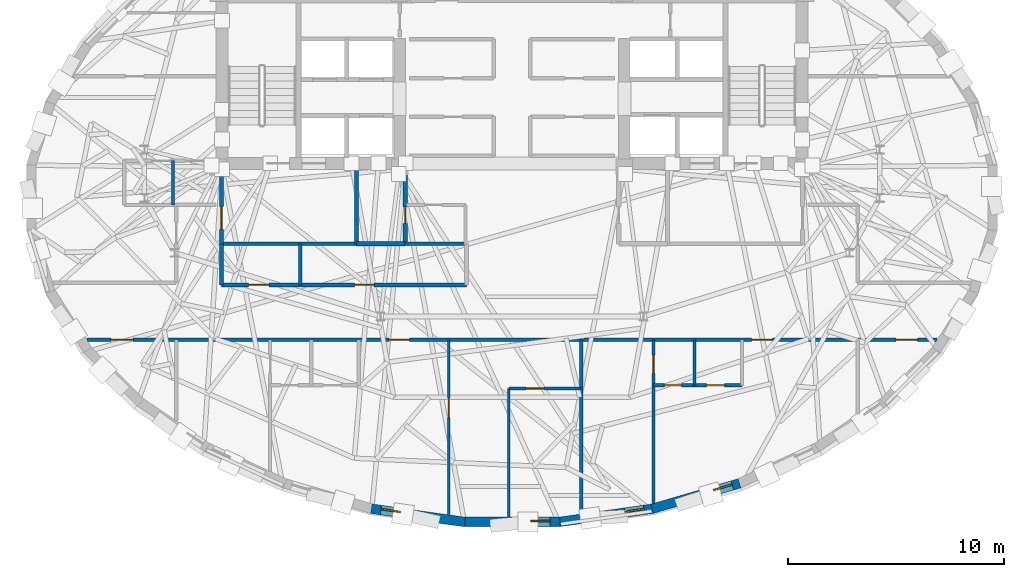
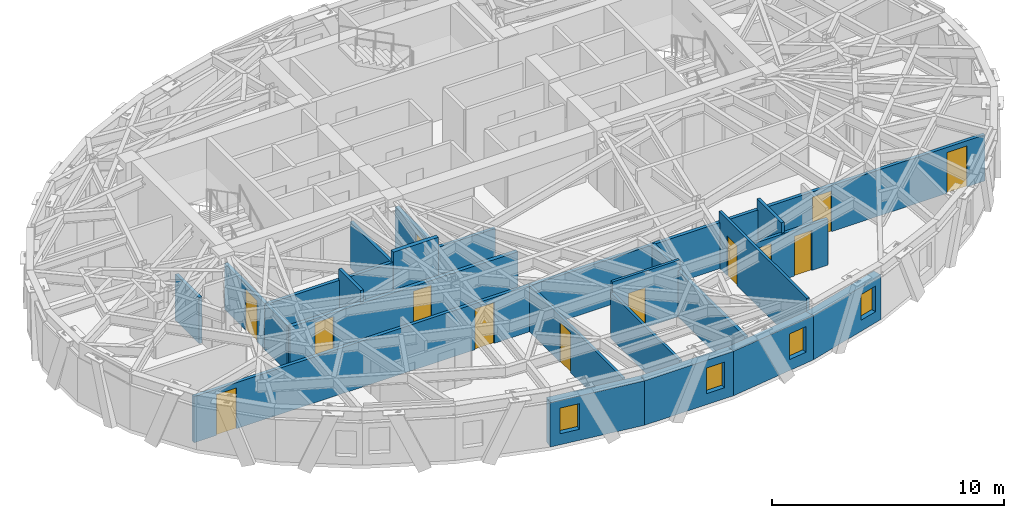
# One storey, part 6 of 12: 22 walls, 13 doors, 4 windows, 17 openings.
"""IFC4 building model written with IfcOpenShell, lengths in metres."""

from ifc_helpers import new_model, si_unit, direction, frame, frame_2d, origin, place, context, subcontext, project, spatial, rectangle, extrude, material, layer, layer_set, type_object, element, fill, save


model = new_model("IFC4")

# Units and contexts
model_context = context("Model", 3, precision=1e-05, world=origin(), true_north=direction((0.0, 1.0)))
body_context = subcontext(model_context, "Body", "Model", "MODEL_VIEW")
ifc_project = project(units=[si_unit("LENGTHUNIT", "METRE"), si_unit("AREAUNIT", "SQUARE_METRE"), si_unit("VOLUMEUNIT", "CUBIC_METRE"), si_unit("PLANEANGLEUNIT", "RADIAN"), si_unit("MASSUNIT", "GRAM", prefix="KILO")], contexts=[model_context])

# Site, building, storey
site_placement = place(None, origin())
site = spatial("IfcSite", under=ifc_project, at=site_placement, CompositionType="ELEMENT")
building_placement = place(site_placement, origin())
building = spatial("IfcBuilding", under=site, at=building_placement, Name="Keldmark Tower", CompositionType="ELEMENT")
storey_placement = place(building_placement, frame((0.0, 0.0, 228.89990234375)))
storey = spatial("IfcBuildingStorey", under=building, at=storey_placement, Name="L64", CompositionType="ELEMENT", Elevation=228.89990234375)

# Wall, openings, doors
ifc_material_1 = material(Name="Heavy Acoustic Plumbing Chase Gypsum Assembly", Category="gypsum")
ifc_layer_1 = layer(ifc_material_1, 0.18994140625)
ifc_layer_set_1 = layer_set([ifc_layer_1], Name="Heavy Acoustic Plumbing Chase Gypsum Assembly")
wall_type_1 = type_object("IfcWallType", Name="Heavy Wet Wall 190 mm", PredefinedType="PLUMBINGWALL", material=ifc_layer_set_1)
wall_1_placement = place(storey_placement, frame((-13.449951171875, -4.050048828125, 0.0), z_axis=(0.0, 0.0, 1.0), x_axis=(1.0, 0.0, 0.0)))
wall_1 = element("IfcWall", 1, at=wall_1_placement, inside=storey, type_object=wall_type_1, Name="L64 Heavy Wet Wall 190 mm SPK-W-S", PredefinedType="PLUMBINGWALL", context=body_context, shape_type="SweptSolid", body=[
    extrude(rectangle(XDim=11.349853515625, YDim=0.18994140625, at=frame_2d((5.6748046875, 0.0))), origin(), (0.0, 0.0, 1.0), 2.357177734375),
])
opening_1_placement = place(wall_1_placement, frame((1.25, 0.0, 0.0)))
opening_1 = element("IfcOpeningElement", 2, at=opening_1_placement, cuts=wall_1, Name="Opening D-AWC95", PredefinedType="OPENING", context=body_context, shape_type="SweptSolid", body=[
    extrude(rectangle(XDim=0.949951171875, YDim=2.14990234375, at=frame_2d((0.47509765625, 1.074951171875))), frame((0.0, 0.10498046875, 0.0), z_axis=(0.0, -1.0, 0.0), x_axis=(1.0, 0.0, 0.0)), (0.0, 0.0, 1.0), 0.2099609375),
])
opening_2_placement = place(wall_1_placement, frame((6.159912109375, 0.0, 0.0)))
opening_2 = element("IfcOpeningElement", 3, at=opening_2_placement, cuts=wall_1, Name="Opening D-IN090", PredefinedType="OPENING", context=body_context, shape_type="SweptSolid", body=[
    extrude(rectangle(XDim=0.89990234375, YDim=2.10009765625, at=frame_2d((0.449951171875, 1.050048828125))), frame((0.0, 0.10498046875, 0.0), z_axis=(0.0, -1.0, 0.0), x_axis=(1.0, 0.0, 0.0)), (0.0, 0.0, 1.0), 0.2099609375),
])
ifc_material_2 = material(Name="Painted Solid-Core Architectural Wood", Category="wood")
door_type_1 = type_object("IfcDoorType", Name="Accessible WC Door 950x2150", OperationType="NOTDEFINED", PredefinedType="DOOR", material=ifc_material_2)
door_1_placement = place(opening_1_placement, origin())
door_1 = element("IfcDoor", 4, at=door_1_placement, inside=storey, type_object=door_type_1, Name="L64 Accessible WC Door 950x2150 D-SPKW1-L64", OperationType="SINGLE_SWING_LEFT", OverallHeight=2.14990234375, OverallWidth=0.949951171875, PredefinedType="DOOR", context=body_context, shape_type="SweptSolid", body=[
    extrude(rectangle(XDim=0.949951171875, YDim=2.14990234375, at=frame_2d((0.47509765625, 1.074951171875))), frame((0.0, 0.02490234375, 0.0), z_axis=(0.0, -1.0, 0.0), x_axis=(1.0, 0.0, 0.0)), (0.0, 0.0, 1.0), 0.050048828125),
])
fill(opening_1, door_1)
ifc_material_3 = material(Name="Stained American White Oak Veneer", Category="wood")
door_type_2 = type_object("IfcDoorType", Name="Interior Door 900x2100", OperationType="NOTDEFINED", PredefinedType="DOOR", material=ifc_material_3)
door_2_placement = place(opening_2_placement, origin())
door_2 = element("IfcDoor", 5, at=door_2_placement, inside=storey, type_object=door_type_2, Name="L64 Interior Door 900x2100 D-SPKW2-L64", OperationType="SINGLE_SWING_RIGHT", OverallHeight=2.10009765625, OverallWidth=0.89990234375, PredefinedType="DOOR", context=body_context, shape_type="SweptSolid", body=[
    extrude(rectangle(XDim=0.89990234375, YDim=2.10009765625, at=frame_2d((0.449951171875, 1.050048828125))), frame((0.0, 0.02490234375, 0.0), z_axis=(0.0, -1.0, 0.0), x_axis=(1.0, 0.0, 0.0)), (0.0, 0.0, 1.0), 0.050048828125),
])
fill(opening_2, door_2)

# Walls
wall_2_placement = place(storey_placement, frame((-13.449951171875, -4.050048828125, 0.0), z_axis=(0.0, 0.0, 1.0), x_axis=(0.0, 1.0, 0.0)))
element("IfcWall", 6, at=wall_2_placement, inside=storey, type_object=wall_type_1, Name="L64 Heavy Wet Wall 190 mm SPK-W-W", PredefinedType="PLUMBINGWALL", context=body_context, shape_type="SweptSolid", body=[
    extrude(rectangle(XDim=1.900146484375, YDim=0.18994140625, at=frame_2d((0.9501953125, 0.0))), origin(), (0.0, 0.0, 1.0), 2.423095703125),
])
ifc_material_4 = material(Name="Acoustic Gypsum Board Interior Partition", Category="gypsum")
ifc_layer_2 = layer(ifc_material_4, 0.1298828125)
ifc_layer_set_2 = layer_set([ifc_layer_2], Name="Acoustic Gypsum Board Interior Partition")
wall_type_2 = type_object("IfcWallType", Name="Interior Partition 130 mm", PredefinedType="PARTITIONING", material=ifc_layer_set_2)
wall_3_placement = place(storey_placement, frame((-0.14990234375, -14.7998046875, 0.0), z_axis=(0.0, 0.0, 1.0), x_axis=(0.0, 1.0, 0.0)))
element("IfcWall", 7, at=wall_3_placement, inside=storey, type_object=wall_type_2, Name="L64 Interior Partition 130 mm UA-BR2-W", PredefinedType="PARTITIONING", context=body_context, shape_type="SweptSolid", body=[
    extrude(rectangle(XDim=5.94970703125, YDim=0.1298828125, at=frame_2d((2.974853515625, 0.0))), origin(), (0.0, 0.0, 1.0), 2.423095703125),
])

# Wall, opening, door
wall_4_placement = place(storey_placement, frame((-0.14990234375, -8.85009765625, 0.0), z_axis=(0.0, 0.0, 1.0), x_axis=(1.0, 0.0, 0.0)))
wall_4 = element("IfcWall", 8, at=wall_4_placement, inside=storey, type_object=wall_type_2, Name="L64 Interior Partition 130 mm UA-BR2-N", PredefinedType="PARTITIONING", context=body_context, shape_type="SweptSolid", body=[
    extrude(rectangle(XDim=3.349853515625, YDim=0.1298828125, at=frame_2d((1.6748046875, 0.0))), origin(), (0.0, 0.0, 1.0), 2.97021484375),
])
opening_3_placement = place(wall_4_placement, frame((0.800048828125, 0.0, 0.0)))
opening_3 = element("IfcOpeningElement", 9, at=opening_3_placement, cuts=wall_4, Name="Opening D-BR085", PredefinedType="OPENING", context=body_context, shape_type="SweptSolid", body=[
    extrude(rectangle(XDim=0.85009765625, YDim=2.10009765625, at=frame_2d((0.425048828125, 1.050048828125))), frame((0.0, 0.074951171875, 0.0), z_axis=(0.0, -1.0, 0.0), x_axis=(1.0, 0.0, 0.0)), (0.0, 0.0, 1.0), 0.14990234375),
])
ifc_material_5 = material(Name="Solid-Core Stained Walnut Wood", Category="wood")
door_type_3 = type_object("IfcDoorType", Name="Bedroom Door 850x2100", OperationType="NOTDEFINED", PredefinedType="DOOR", material=ifc_material_5)
door_3_placement = place(opening_3_placement, origin())
door_3 = element("IfcDoor", 10, at=door_3_placement, inside=storey, type_object=door_type_3, Name="L64 Bedroom Door 850x2100 D-UA-BR2-L64", OperationType="SINGLE_SWING_LEFT", OverallHeight=2.10009765625, OverallWidth=0.85009765625, PredefinedType="DOOR", context=body_context, shape_type="SweptSolid", body=[
    extrude(rectangle(XDim=0.85009765625, YDim=2.10009765625, at=frame_2d((0.425048828125, 1.050048828125))), frame((0.0, 0.02490234375, 0.0), z_axis=(0.0, -1.0, 0.0), x_axis=(1.0, 0.0, 0.0)), (0.0, 0.0, 1.0), 0.050048828125),
])
fill(opening_3, door_3)

wall_5_placement = place(storey_placement, frame((-2.925048828125, -14.6943359375, 0.0), z_axis=(0.0, 0.0, 1.0), x_axis=(0.0, 1.0, 0.0)))
wall_5 = element("IfcWall", 11, at=wall_5_placement, inside=storey, type_object=wall_type_2, Name="L64 Interior Partition 130 mm UA-DIN-W", PredefinedType="PARTITIONING", context=body_context, shape_type="SweptSolid", body=[
    extrude(rectangle(XDim=8.09423828125, YDim=0.1298828125, at=frame_2d((4.047119140625, 0.0))), origin(), (0.0, 0.0, 1.0), 2.423095703125),
])
opening_4_placement = place(wall_5_placement, frame((4.49462890625, 0.0, 0.0)))
opening_4 = element("IfcOpeningElement", 12, at=opening_4_placement, cuts=wall_5, Name="Opening D-IN090", PredefinedType="OPENING", context=body_context, shape_type="SweptSolid", body=[
    extrude(rectangle(XDim=0.89990234375, YDim=2.10009765625, at=frame_2d((0.449951171875, 1.050048828125))), frame((0.0, 0.074951171875, 0.0), z_axis=(0.0, -1.0, 0.0), x_axis=(1.0, 0.0, 0.0)), (0.0, 0.0, 1.0), 0.14990234375),
])
door_4_placement = place(opening_4_placement, origin())
door_4 = element("IfcDoor", 13, at=door_4_placement, inside=storey, type_object=door_type_2, Name="L64 Interior Door 900x2100 D-UA-DIN-L64", OperationType="SINGLE_SWING_LEFT", OverallHeight=2.10009765625, OverallWidth=0.89990234375, PredefinedType="DOOR", context=body_context, shape_type="SweptSolid", body=[
    extrude(rectangle(XDim=0.89990234375, YDim=2.10009765625, at=frame_2d((0.449951171875, 1.050048828125))), frame((0.0, 0.02490234375, 0.0), z_axis=(0.0, -1.0, 0.0), x_axis=(1.0, 0.0, 0.0)), (0.0, 0.0, 1.0), 0.050048828125),
])
fill(opening_4, door_4)

wall_6_placement = place(storey_placement, frame((6.550048828125, -14.1650390625, 0.0), z_axis=(0.0, 0.0, 1.0), x_axis=(0.0, 1.0, 0.0)))
wall_6 = element("IfcWall", 14, at=wall_6_placement, inside=storey, type_object=wall_type_2, Name="L64 Interior Partition 130 mm UB-BR1-E", PredefinedType="PARTITIONING", context=body_context, shape_type="SweptSolid", body=[
    extrude(rectangle(XDim=7.56494140625, YDim=0.1298828125, at=frame_2d((3.782470703125, 0.0))), origin(), (0.0, 0.0, 1.0), 2.97021484375),
])
opening_5_placement = place(wall_6_placement, frame((6.0146484375, 0.0, 0.0)))
opening_5 = element("IfcOpeningElement", 15, at=opening_5_placement, cuts=wall_6, Name="Opening D-BR085", PredefinedType="OPENING", context=body_context, shape_type="SweptSolid", body=[
    extrude(rectangle(XDim=0.85009765625, YDim=2.10009765625, at=frame_2d((0.425048828125, 1.050048828125))), frame((0.0, 0.074951171875, 0.0), z_axis=(0.0, -1.0, 0.0), x_axis=(1.0, 0.0, 0.0)), (0.0, 0.0, 1.0), 0.14990234375),
])
door_5_placement = place(opening_5_placement, origin())
door_5 = element("IfcDoor", 16, at=door_5_placement, inside=storey, type_object=door_type_3, Name="L64 Bedroom Door 850x2100 D-UB-BR1-L64", OperationType="SINGLE_SWING_RIGHT", OverallHeight=2.10009765625, OverallWidth=0.85009765625, PredefinedType="DOOR", context=body_context, shape_type="SweptSolid", body=[
    extrude(rectangle(XDim=0.85009765625, YDim=2.10009765625, at=frame_2d((0.425048828125, 1.050048828125))), frame((0.0, 0.02490234375, 0.0), z_axis=(0.0, -1.0, 0.0), x_axis=(1.0, 0.0, 0.0)), (0.0, 0.0, 1.0), 0.050048828125),
])
fill(opening_5, door_5)

# Wall
ifc_material_6 = material(Name="Type X Fire-Rated Gypsum Partition Assembly", Category="gypsum")
ifc_layer_3 = layer(ifc_material_6, 0.1650390625)
ifc_layer_set_3 = layer_set([ifc_layer_3], Name="Type X Fire-Rated Gypsum Partition Assembly")
wall_type_3 = type_object("IfcWallType", Name="Rated Partition 165 mm", PredefinedType="PARTITIONING", material=ifc_layer_set_3)
wall_7_placement = place(storey_placement, frame((-13.449951171875, -2.14990234375, 0.0), z_axis=(0.0, 0.0, 1.0), x_axis=(1.0, 0.0, 0.0)))
element("IfcWall", 17, at=wall_7_placement, inside=storey, type_object=wall_type_3, Name="L64 Rated Partition 165 mm FSAE-W-S", PredefinedType="PARTITIONING", context=body_context, shape_type="SweptSolid", body=[
    extrude(rectangle(XDim=6.25, YDim=0.1650390625, at=frame_2d((3.125, 0.0))), origin(), (0.0, 0.0, 1.0), 2.423095703125),
])

# Wall, opening, door
wall_8_placement = place(storey_placement, frame((-13.449951171875, -2.14990234375, 0.0), z_axis=(0.0, 0.0, 1.0), x_axis=(0.0, 1.0, 0.0)))
wall_8 = element("IfcWall", 18, at=wall_8_placement, inside=storey, type_object=wall_type_3, Name="L64 Rated Partition 165 mm FSAE-W-W", PredefinedType="PARTITIONING", context=body_context, shape_type="SweptSolid", body=[
    extrude(rectangle(XDim=3.5, YDim=0.1650390625, at=frame_2d((1.75, 0.0))), origin(), (0.0, 0.0, 1.0), 2.423095703125),
])
opening_6_placement = place(wall_8_placement, frame((0.669921875, 0.0, 0.0)))
opening_6 = element("IfcOpeningElement", 19, at=opening_6_placement, cuts=wall_8, Name="Opening D-FL105", PredefinedType="OPENING", context=body_context, shape_type="SweptSolid", body=[
    extrude(rectangle(XDim=1.050048828125, YDim=2.14990234375, at=frame_2d((0.52490234375, 1.074951171875))), frame((0.0, 0.092529296875, 0.0), z_axis=(0.0, -1.0, 0.0), x_axis=(1.0, 0.0, 0.0)), (0.0, 0.0, 1.0), 0.18505859375),
])
ifc_material_7 = material(Name="Fire-Rated Mineral-Core Door and Vision Lite", Category="metal")
door_type_4 = type_object("IfcDoorType", Name="Fire Lobby Door 1050x2150", OperationType="NOTDEFINED", PredefinedType="DOOR", material=ifc_material_7)
door_6_placement = place(opening_6_placement, origin())
door_6 = element("IfcDoor", 20, at=door_6_placement, inside=storey, type_object=door_type_4, Name="L64 Fire Lobby Door 1050x2150 D-FSAEW-OUT-L64", OperationType="SINGLE_SWING_LEFT", OverallHeight=2.14990234375, OverallWidth=1.050048828125, PredefinedType="DOOR", context=body_context, shape_type="SweptSolid", body=[
    extrude(rectangle(XDim=1.050048828125, YDim=2.14990234375, at=frame_2d((0.52490234375, 1.074951171875))), frame((0.0, 0.02490234375, 0.0), z_axis=(0.0, -1.0, 0.0), x_axis=(1.0, 0.0, 0.0)), (0.0, 0.0, 1.0), 0.050048828125),
])
fill(opening_6, door_6)

# Wall
wall_9_placement = place(storey_placement, frame((-7.199951171875, -2.14990234375, 0.0), z_axis=(0.0, 0.0, 1.0), x_axis=(0.0, 1.0, 0.0)))
element("IfcWall", 21, at=wall_9_placement, inside=storey, type_object=wall_type_3, Name="L64 Rated Partition 165 mm FSAE-W-E", PredefinedType="PARTITIONING", context=body_context, shape_type="SweptSolid", body=[
    extrude(rectangle(XDim=3.5, YDim=0.1650390625, at=frame_2d((1.75, 0.0))), origin(), (0.0, 0.0, 1.0), 2.423095703125),
])

# Wall, openings, doors
wall_10_placement = place(storey_placement, frame((-19.67919921875, -6.60009765625, 0.0), z_axis=(0.0, 0.0, 1.0), x_axis=(1.0, 0.0, 0.0)))
wall_10 = element("IfcWall", 22, at=wall_10_placement, inside=storey, type_object=wall_type_3, Name="L64 Rated Partition 165 mm RCOR-S", PredefinedType="PARTITIONING", context=body_context, shape_type="SweptSolid", body=[
    extrude(rectangle(XDim=39.3583984375, YDim=0.1650390625, at=frame_2d((19.67919921875, 0.0))), origin(), (0.0, 0.0, 1.0), 2.423095703125),
])
opening_7_placement = place(wall_10_placement, frame((1.12109375, 0.0, 0.0)))
opening_7 = element("IfcOpeningElement", 23, at=opening_7_placement, cuts=wall_10, Name="Opening D-FD100", PredefinedType="OPENING", context=body_context, shape_type="SweptSolid", body=[
    extrude(rectangle(XDim=1.0, YDim=2.14990234375, at=frame_2d((0.5, 1.074951171875))), frame((0.0, 0.092529296875, 0.0), z_axis=(0.0, -1.0, 0.0), x_axis=(1.0, 0.0, 0.0)), (0.0, 0.0, 1.0), 0.18505859375),
])
opening_8_placement = place(wall_10_placement, frame((37.462890625, 0.0, 0.0)))
opening_8 = element("IfcOpeningElement", 24, at=opening_8_placement, cuts=wall_10, Name="Opening D-FD100", PredefinedType="OPENING", context=body_context, shape_type="SweptSolid", body=[
    extrude(rectangle(XDim=1.0, YDim=2.14990234375, at=frame_2d((0.5, 1.074951171875))), frame((0.0, 0.092529296875, 0.0), z_axis=(0.0, -1.0, 0.0), x_axis=(1.0, 0.0, 0.0)), (0.0, 0.0, 1.0), 0.18505859375),
])
opening_9_placement = place(wall_10_placement, frame((13.989013671875, 0.0, 0.0)))
opening_9 = element("IfcOpeningElement", 25, at=opening_9_placement, cuts=wall_10, Name="Opening D-AP095", PredefinedType="OPENING", context=body_context, shape_type="SweptSolid", body=[
    extrude(rectangle(XDim=0.949951171875, YDim=2.14990234375, at=frame_2d((0.47509765625, 1.074951171875))), frame((0.0, 0.092529296875, 0.0), z_axis=(0.0, -1.0, 0.0), x_axis=(1.0, 0.0, 0.0)), (0.0, 0.0, 1.0), 0.18505859375),
])
opening_10_placement = place(wall_10_placement, frame((30.779052734375, 0.0, 0.0)))
opening_10 = element("IfcOpeningElement", 26, at=opening_10_placement, cuts=wall_10, Name="Opening D-AP095", PredefinedType="OPENING", context=body_context, shape_type="SweptSolid", body=[
    extrude(rectangle(XDim=0.949951171875, YDim=2.14990234375, at=frame_2d((0.47509765625, 1.074951171875))), frame((0.0, 0.092529296875, 0.0), z_axis=(0.0, -1.0, 0.0), x_axis=(1.0, 0.0, 0.0)), (0.0, 0.0, 1.0), 0.18505859375),
])
ifc_material_8 = material(Name="Solid-Core Walnut Fire-Rated Entry Assembly", Category="wood")
door_type_5 = type_object("IfcDoorType", Name="Apartment Entry Door 950x2150", OperationType="NOTDEFINED", PredefinedType="DOOR", material=ifc_material_8)
door_7_placement = place(opening_9_placement, origin())
door_7 = element("IfcDoor", 27, at=door_7_placement, inside=storey, type_object=door_type_5, Name="L64 Apartment Entry Door 950x2150 D-UA-ENT-L64", OperationType="SINGLE_SWING_RIGHT", OverallHeight=2.14990234375, OverallWidth=0.949951171875, PredefinedType="DOOR", context=body_context, shape_type="SweptSolid", body=[
    extrude(rectangle(XDim=0.949951171875, YDim=2.14990234375, at=frame_2d((0.47509765625, 1.074951171875))), frame((0.0, 0.02490234375, 0.0), z_axis=(0.0, -1.0, 0.0), x_axis=(1.0, 0.0, 0.0)), (0.0, 0.0, 1.0), 0.050048828125),
])
fill(opening_9, door_7)
door_8_placement = place(opening_10_placement, origin())
door_8 = element("IfcDoor", 28, at=door_8_placement, inside=storey, type_object=door_type_5, Name="L64 Apartment Entry Door 950x2150 D-UB-ENT-L64", OperationType="SINGLE_SWING_LEFT", OverallHeight=2.14990234375, OverallWidth=0.949951171875, PredefinedType="DOOR", context=body_context, shape_type="SweptSolid", body=[
    extrude(rectangle(XDim=0.949951171875, YDim=2.14990234375, at=frame_2d((0.47509765625, 1.074951171875))), frame((0.0, 0.02490234375, 0.0), z_axis=(0.0, -1.0, 0.0), x_axis=(1.0, 0.0, 0.0)), (0.0, 0.0, 1.0), 0.050048828125),
])
fill(opening_10, door_8)
ifc_material_9 = material(Name="Hollow Metal Fire-Rated Corridor Door", Category="metal")
door_type_6 = type_object("IfcDoorType", Name="Fire Door 1000x2150", OperationType="NOTDEFINED", PredefinedType="DOOR", material=ifc_material_9)
door_9_placement = place(opening_7_placement, origin())
door_9 = element("IfcDoor", 29, at=door_9_placement, inside=storey, type_object=door_type_6, Name="L64 Fire Door 1000x2150 D-RSCW-L64", OperationType="SINGLE_SWING_LEFT", OverallHeight=2.14990234375, OverallWidth=1.0, PredefinedType="DOOR", context=body_context, shape_type="SweptSolid", body=[
    extrude(rectangle(XDim=1.0, YDim=2.14990234375, at=frame_2d((0.5, 1.074951171875))), frame((0.0, 0.02490234375, 0.0), z_axis=(0.0, -1.0, 0.0), x_axis=(1.0, 0.0, 0.0)), (0.0, 0.0, 1.0), 0.050048828125),
])
fill(opening_7, door_9)
door_10_placement = place(opening_8_placement, origin())
door_10 = element("IfcDoor", 30, at=door_10_placement, inside=storey, type_object=door_type_6, Name="L64 Fire Door 1000x2150 D-RSCE-L64", OperationType="SINGLE_SWING_RIGHT", OverallHeight=2.14990234375, OverallWidth=1.0, PredefinedType="DOOR", context=body_context, shape_type="SweptSolid", body=[
    extrude(rectangle(XDim=1.0, YDim=2.14990234375, at=frame_2d((0.5, 1.074951171875))), frame((0.0, 0.02490234375, 0.0), z_axis=(0.0, -1.0, 0.0), x_axis=(1.0, 0.0, 0.0)), (0.0, 0.0, 1.0), 0.050048828125),
])
fill(opening_8, door_10)

# Walls
wall_11_placement = place(storey_placement, frame((3.199951171875, -14.6552734375, 0.0), z_axis=(0.0, 0.0, 1.0), x_axis=(0.0, 1.0, 0.0)))
element("IfcWall", 31, at=wall_11_placement, inside=storey, type_object=wall_type_3, Name="L64 Rated Partition 165 mm RS-DIV-1", PredefinedType="PARTITIONING", context=body_context, shape_type="SweptSolid", body=[
    extrude(rectangle(XDim=8.05517578125, YDim=0.1650390625, at=frame_2d((4.027587890625, 0.0))), origin(), (0.0, 0.0, 1.0), 2.423095703125),
])
ifc_material_10 = material(Name="Fire-Resistant Type X Gypsum Shaftliner Coreboard", Category="gypsum")
ifc_layer_4 = layer(ifc_material_10, 0.199951171875)
ifc_layer_set_4 = layer_set([ifc_layer_4], Name="Fire-Resistant Type X Gypsum Shaftliner Coreboard")
wall_type_4 = type_object("IfcWallType", Name="Shaft Wall 200 mm", PredefinedType="SOLIDWALL", material=ifc_layer_set_4)
wall_12_placement = place(storey_placement, frame((-7.199951171875, -2.14990234375, 0.0), z_axis=(0.0, 0.0, 1.0), x_axis=(1.0, 0.0, 0.0)))
element("IfcWall", 32, at=wall_12_placement, inside=storey, type_object=wall_type_4, Name="L64 Shaft Wall 200 mm RIS-SW-S", PredefinedType="SOLIDWALL", context=body_context, shape_type="SweptSolid", body=[
    extrude(rectangle(XDim=2.25, YDim=0.199951171875, at=frame_2d((1.125, 0.0))), origin(), (0.0, 0.0, 1.0), 2.97021484375),
])

# Wall, opening, door
wall_13_placement = place(storey_placement, frame((-4.949951171875, -2.14990234375, 0.0), z_axis=(0.0, 0.0, 1.0), x_axis=(0.0, 1.0, 0.0)))
wall_13 = element("IfcWall", 33, at=wall_13_placement, inside=storey, type_object=wall_type_4, Name="L64 Shaft Wall 200 mm RIS-SW-E", PredefinedType="SOLIDWALL", context=body_context, shape_type="SweptSolid", body=[
    extrude(rectangle(XDim=3.5, YDim=0.199951171875, at=frame_2d((1.75, 0.0))), origin(), (0.0, 0.0, 1.0), 2.423095703125),
])
opening_11_placement = place(wall_13_placement, frame((0.949951171875, 0.0, 0.0)))
opening_11 = element("IfcOpeningElement", 34, at=opening_11_placement, cuts=wall_13, Name="Opening D-RS075", PredefinedType="OPENING", context=body_context, shape_type="SweptSolid", body=[
    extrude(rectangle(XDim=0.75, YDim=2.10009765625, at=frame_2d((0.375, 1.050048828125))), frame((0.0, 0.10986328125, 0.0), z_axis=(0.0, -1.0, 0.0), x_axis=(1.0, 0.0, 0.0)), (0.0, 0.0, 1.0), 0.219970703125),
])
ifc_material_11 = material(Name="Galvanized Fire-Rated Access Leaf", Category="metal")
door_type_7 = type_object("IfcDoorType", Name="Riser Access Door 750x2100", OperationType="NOTDEFINED", PredefinedType="DOOR", material=ifc_material_11)
door_11_placement = place(opening_11_placement, origin())
door_11 = element("IfcDoor", 35, at=door_11_placement, inside=storey, type_object=door_type_7, Name="L64 Riser Access Door 750x2100 D-RISSW-L64", OperationType="SINGLE_SWING_RIGHT", OverallHeight=2.10009765625, OverallWidth=0.75, PredefinedType="DOOR", context=body_context, shape_type="SweptSolid", body=[
    extrude(rectangle(XDim=0.75, YDim=2.10009765625, at=frame_2d((0.375, 1.050048828125))), frame((0.0, 0.02490234375, 0.0), z_axis=(0.0, -1.0, 0.0), x_axis=(1.0, 0.0, 0.0)), (0.0, 0.0, 1.0), 0.050048828125),
])
fill(opening_11, door_11)

# Wall, opening, window
ifc_material_12 = material(Name="Ironspot Manganese Brick and Kasota Buff Limestone Spandrel Assembly", Category="masonry")
ifc_layer_5 = layer(ifc_material_12, 0.43994140625)
ifc_layer_set_5 = layer_set([ifc_layer_5], Name="Ironspot Manganese Brick and Kasota Buff Limestone Spandrel Assembly")
wall_type_5 = type_object("IfcWallType", Name="Tower Brick Pier and Spandrel Wall 440 mm", PredefinedType="STANDARD", material=ifc_layer_set_5)
wall_14_placement = place(storey_placement, frame((-2.18359375, -15.02978515625, 0.0), z_axis=(0.0, 0.0, 1.0), x_axis=(-0.990076340622, 0.140530565146, 0.0)))
wall_14 = element("IfcWall", 36, at=wall_14_placement, inside=storey, type_object=wall_type_5, Name="L64 Exterior Brick and Spandrel Wall 23", PredefinedType="STANDARD", context=body_context, shape_type="SweptSolid", body=[
    extrude(rectangle(XDim=4.37451171875, YDim=0.43994140625, at=frame_2d((2.187255859375, 0.0))), origin(), (0.0, 0.0, 1.0), 2.336181640625),
])
opening_12_placement = place(wall_14_placement, frame((3.026611328125, 0.0, 0.580078125)))
opening_12 = element("IfcOpeningElement", 37, at=opening_12_placement, cuts=wall_14, Name="Opening W-09", PredefinedType="OPENING", context=body_context, shape_type="SweptSolid", body=[
    extrude(rectangle(XDim=0.89990234375, YDim=1.35009765625, at=frame_2d((0.449951171875, 0.675048828125))), frame((0.0, 0.22998046875, 0.0), z_axis=(0.0, -1.0, 0.0), x_axis=(1.0, 0.0, 0.0)), (0.0, 0.0, 1.0), 0.4599609375),
])
ifc_material_13 = material(Name="Thermally Broken Anodized Aluminum and Triple Low-E Argon Glazing", Category="aluminium")
window_type = type_object("IfcWindowType", Name="Corner Pier Deep-Set Window 900x1350", PartitioningType="SINGLE_PANEL", PredefinedType="WINDOW", material=ifc_material_13)
window_1_placement = place(opening_12_placement, origin())
window_1 = element("IfcWindow", 38, at=window_1_placement, inside=storey, type_object=window_type, Name="L64 Deep-Set Window 23", OverallHeight=1.35009765625, OverallWidth=0.89990234375, PartitioningType="SINGLE_PANEL", PredefinedType="WINDOW", context=body_context, shape_type="SweptSolid", body=[
    extrude(rectangle(XDim=0.89990234375, YDim=1.35009765625, at=frame_2d((0.449951171875, 0.675048828125))), frame((0.0, -0.010009765625, 0.0), z_axis=(0.0, -1.0, 0.0), x_axis=(1.0, 0.0, 0.0)), (0.0, 0.0, 1.0), 0.06005859375),
])
fill(opening_12, window_1)

wall_15_placement = place(storey_placement, frame((2.214599609375, -15.027587890625, 0.0), z_axis=(0.0, 0.0, 1.0), x_axis=(-1.0, 0.0, 0.0)))
wall_15 = element("IfcWall", 39, at=wall_15_placement, inside=storey, type_object=wall_type_5, Name="L64 Exterior Brick and Spandrel Wall 24", PredefinedType="STANDARD", context=body_context, shape_type="SweptSolid", body=[
    extrude(rectangle(XDim=4.42919921875, YDim=0.43994140625, at=frame_2d((2.214599609375, 0.0))), origin(), (0.0, 0.0, 1.0), 2.336181640625),
])
opening_13_placement = place(wall_15_placement, frame((0.4482421875, 0.0, 0.580078125)))
opening_13 = element("IfcOpeningElement", 40, at=opening_13_placement, cuts=wall_15, Name="Opening W-09", PredefinedType="OPENING", context=body_context, shape_type="SweptSolid", body=[
    extrude(rectangle(XDim=0.89990234375, YDim=1.35009765625, at=frame_2d((0.449951171875, 0.675048828125))), frame((0.0, 0.22998046875, 0.0), z_axis=(0.0, -1.0, 0.0), x_axis=(1.0, 0.0, 0.0)), (0.0, 0.0, 1.0), 0.4599609375),
])
window_2_placement = place(opening_13_placement, origin())
window_2 = element("IfcWindow", 41, at=window_2_placement, inside=storey, type_object=window_type, Name="L64 Deep-Set Window 24", OverallHeight=1.35009765625, OverallWidth=0.89990234375, PartitioningType="SINGLE_PANEL", PredefinedType="WINDOW", context=body_context, shape_type="SweptSolid", body=[
    extrude(rectangle(XDim=0.89990234375, YDim=1.35009765625, at=frame_2d((0.449951171875, 0.675048828125))), frame((0.0, -0.010009765625, 0.0), z_axis=(0.0, -1.0, 0.0), x_axis=(1.0, 0.0, 0.0)), (0.0, 0.0, 1.0), 0.06005859375),
])
fill(opening_13, window_2)

wall_16_placement = place(storey_placement, frame((6.5146484375, -14.4150390625, 0.0), z_axis=(0.0, 0.0, 1.0), x_axis=(-0.990076340622, -0.140530565146, 0.0)))
wall_16 = element("IfcWall", 42, at=wall_16_placement, inside=storey, type_object=wall_type_5, Name="L64 Exterior Brick and Spandrel Wall 25", PredefinedType="STANDARD", context=body_context, shape_type="SweptSolid", body=[
    extrude(rectangle(XDim=4.37451171875, YDim=0.43994140625, at=frame_2d((2.187255859375, 0.0))), origin(), (0.0, 0.0, 1.0), 2.336181640625),
])
opening_14_placement = place(wall_16_placement, frame((0.398193359375, 0.0, 0.580078125)))
opening_14 = element("IfcOpeningElement", 43, at=opening_14_placement, cuts=wall_16, Name="Opening W-09", PredefinedType="OPENING", context=body_context, shape_type="SweptSolid", body=[
    extrude(rectangle(XDim=0.89990234375, YDim=1.35009765625, at=frame_2d((0.449951171875, 0.675048828125))), frame((0.0, 0.22998046875, 0.0), z_axis=(0.0, -1.0, 0.0), x_axis=(1.0, 0.0, 0.0)), (0.0, 0.0, 1.0), 0.4599609375),
])
window_3_placement = place(opening_14_placement, origin())
window_3 = element("IfcWindow", 44, at=window_3_placement, inside=storey, type_object=window_type, Name="L64 Deep-Set Window 25", OverallHeight=1.35009765625, OverallWidth=0.89990234375, PartitioningType="SINGLE_PANEL", PredefinedType="WINDOW", context=body_context, shape_type="SweptSolid", body=[
    extrude(rectangle(XDim=0.89990234375, YDim=1.35009765625, at=frame_2d((0.449951171875, 0.675048828125))), frame((0.0, -0.010009765625, 0.0), z_axis=(0.0, -1.0, 0.0), x_axis=(1.0, 0.0, 0.0)), (0.0, 0.0, 1.0), 0.06005859375),
])
fill(opening_14, window_3)

wall_17_placement = place(storey_placement, frame((10.541015625, -13.240478515625, 0.0), z_axis=(0.0, 0.0, 1.0), x_axis=(-0.960138362531, -0.279525177393, 0.0)))
wall_17 = element("IfcWall", 45, at=wall_17_placement, inside=storey, type_object=wall_type_5, Name="L64 Exterior Brick and Spandrel Wall 26", PredefinedType="STANDARD", context=body_context, shape_type="SweptSolid", body=[
    extrude(rectangle(XDim=4.2255859375, YDim=0.43994140625, at=frame_2d((2.11279296875, 0.0))), origin(), (0.0, 0.0, 1.0), 2.336181640625),
])
opening_15_placement = place(wall_17_placement, frame((0.3486328125, 0.0, 0.580078125)))
opening_15 = element("IfcOpeningElement", 46, at=opening_15_placement, cuts=wall_17, Name="Opening W-09", PredefinedType="OPENING", context=body_context, shape_type="SweptSolid", body=[
    extrude(rectangle(XDim=0.89990234375, YDim=1.35009765625, at=frame_2d((0.449951171875, 0.675048828125))), frame((0.0, 0.22998046875, 0.0), z_axis=(0.0, -1.0, 0.0), x_axis=(1.0, 0.0, 0.0)), (0.0, 0.0, 1.0), 0.4599609375),
])
window_4_placement = place(opening_15_placement, origin())
window_4 = element("IfcWindow", 47, at=window_4_placement, inside=storey, type_object=window_type, Name="L64 Deep-Set Window 26", OverallHeight=1.35009765625, OverallWidth=0.89990234375, PartitioningType="SINGLE_PANEL", PredefinedType="WINDOW", context=body_context, shape_type="SweptSolid", body=[
    extrude(rectangle(XDim=0.89990234375, YDim=1.35009765625, at=frame_2d((0.449951171875, 0.675048828125))), frame((0.0, -0.010009765625, 0.0), z_axis=(0.0, -1.0, 0.0), x_axis=(1.0, 0.0, 0.0)), (0.0, 0.0, 1.0), 0.06005859375),
])
fill(opening_15, window_4)

# Walls
ifc_material_14 = material(Name="Moisture-Resistant Gypsum Plumbing Partition", Category="gypsum")
ifc_layer_6 = layer(ifc_material_14, 0.14990234375)
ifc_layer_set_6 = layer_set([ifc_layer_6], Name="Moisture-Resistant Gypsum Plumbing Partition")
wall_type_6 = type_object("IfcWallType", Name="Wet Wall 150 mm", PredefinedType="PLUMBINGWALL", material=ifc_layer_set_6)
wall_18_placement = place(storey_placement, frame((-4.949951171875, -2.14990234375, 0.0), z_axis=(0.0, 0.0, 1.0), x_axis=(1.0, 0.0, 0.0)))
element("IfcWall", 48, at=wall_18_placement, inside=storey, type_object=wall_type_6, Name="L64 Wet Wall 150 mm SPK-W-N", PredefinedType="PLUMBINGWALL", context=body_context, shape_type="SweptSolid", body=[
    extrude(rectangle(XDim=2.849853515625, YDim=0.14990234375, at=frame_2d((1.4248046875, 0.0))), origin(), (0.0, 0.0, 1.0), 2.423095703125),
])
wall_19_placement = place(storey_placement, frame((-9.800048828125, -4.050048828125, 0.0), z_axis=(0.0, 0.0, 1.0), x_axis=(0.0, 1.0, 0.0)))
element("IfcWall", 49, at=wall_19_placement, inside=storey, type_object=wall_type_6, Name="L64 Wet Wall 150 mm SPK-W-D1", PredefinedType="PLUMBINGWALL", context=body_context, shape_type="SweptSolid", body=[
    extrude(rectangle(XDim=1.900146484375, YDim=0.14990234375, at=frame_2d((0.9501953125, 0.0))), origin(), (0.0, 0.0, 1.0), 2.97021484375),
])

# Wall, openings, doors
wall_20_placement = place(storey_placement, frame((6.550048828125, -8.699951171875, 0.0), z_axis=(0.0, 0.0, 1.0), x_axis=(1.0, 0.0, 0.0)))
wall_20 = element("IfcWall", 50, at=wall_20_placement, inside=storey, type_object=wall_type_6, Name="L64 Wet Wall 150 mm UB-BK-S", PredefinedType="PLUMBINGWALL", context=body_context, shape_type="SweptSolid", body=[
    extrude(rectangle(XDim=4.099853515625, YDim=0.14990234375, at=frame_2d((2.0498046875, 0.0))), origin(), (0.0, 0.0, 1.0), 2.423095703125),
])
opening_16_placement = place(wall_20_placement, frame((0.5, 0.0, 0.0)))
opening_16 = element("IfcOpeningElement", 51, at=opening_16_placement, cuts=wall_20, Name="Opening D-BT080", PredefinedType="OPENING", context=body_context, shape_type="SweptSolid", body=[
    extrude(rectangle(XDim=0.800048828125, YDim=2.10009765625, at=frame_2d((0.39990234375, 1.050048828125))), frame((0.0, 0.0849609375, 0.0), z_axis=(0.0, -1.0, 0.0), x_axis=(1.0, 0.0, 0.0)), (0.0, 0.0, 1.0), 0.169921875),
])
opening_17_placement = place(wall_20_placement, frame((2.449951171875, 0.0, 0.0)))
opening_17 = element("IfcOpeningElement", 52, at=opening_17_placement, cuts=wall_20, Name="Opening D-IN085", PredefinedType="OPENING", context=body_context, shape_type="SweptSolid", body=[
    extrude(rectangle(XDim=0.85009765625, YDim=2.10009765625, at=frame_2d((0.425048828125, 1.050048828125))), frame((0.0, 0.0849609375, 0.0), z_axis=(0.0, -1.0, 0.0), x_axis=(1.0, 0.0, 0.0)), (0.0, 0.0, 1.0), 0.169921875),
])
ifc_material_15 = material(Name="Moisture-Sealed Stained Wood", Category="wood")
door_type_8 = type_object("IfcDoorType", Name="Bathroom Door 800x2100", OperationType="NOTDEFINED", PredefinedType="DOOR", material=ifc_material_15)
door_12_placement = place(opening_16_placement, origin())
door_12 = element("IfcDoor", 53, at=door_12_placement, inside=storey, type_object=door_type_8, Name="L64 Bathroom Door 800x2100 D-UB-BATH-L64", OperationType="SINGLE_SWING_LEFT", OverallHeight=2.10009765625, OverallWidth=0.800048828125, PredefinedType="DOOR", context=body_context, shape_type="SweptSolid", body=[
    extrude(rectangle(XDim=0.800048828125, YDim=2.10009765625, at=frame_2d((0.39990234375, 1.050048828125))), frame((0.0, 0.02490234375, 0.0), z_axis=(0.0, -1.0, 0.0), x_axis=(1.0, 0.0, 0.0)), (0.0, 0.0, 1.0), 0.050048828125),
])
fill(opening_16, door_12)
ifc_material_16 = material(Name="Painted Architectural Wood", Category="wood")
door_type_9 = type_object("IfcDoorType", Name="Interior Door 850x2100", OperationType="NOTDEFINED", PredefinedType="DOOR", material=ifc_material_16)
door_13_placement = place(opening_17_placement, origin())
door_13 = element("IfcDoor", 54, at=door_13_placement, inside=storey, type_object=door_type_9, Name="L64 Interior Door 850x2100 D-UB-KIT-L64", OperationType="SINGLE_SWING_RIGHT", OverallHeight=2.10009765625, OverallWidth=0.85009765625, PredefinedType="DOOR", context=body_context, shape_type="SweptSolid", body=[
    extrude(rectangle(XDim=0.85009765625, YDim=2.10009765625, at=frame_2d((0.425048828125, 1.050048828125))), frame((0.0, 0.02490234375, 0.0), z_axis=(0.0, -1.0, 0.0), x_axis=(1.0, 0.0, 0.0)), (0.0, 0.0, 1.0), 0.050048828125),
])
fill(opening_17, door_13)

# Walls
wall_21_placement = place(storey_placement, frame((8.449951171875, -8.699951171875, 0.0), z_axis=(0.0, 0.0, 1.0), x_axis=(0.0, 1.0, 0.0)))
element("IfcWall", 55, at=wall_21_placement, inside=storey, type_object=wall_type_6, Name="L64 Wet Wall 150 mm UB-BK-M", PredefinedType="PLUMBINGWALL", context=body_context, shape_type="SweptSolid", body=[
    extrude(rectangle(XDim=2.099853515625, YDim=0.14990234375, at=frame_2d((1.0498046875, 0.0))), origin(), (0.0, 0.0, 1.0), 2.97021484375),
])
wall_22_placement = place(storey_placement, frame((-15.699951171875, -0.35009765625, 0.0), z_axis=(0.0, 0.0, 1.0), x_axis=(0.0, 1.0, 0.0)))
element("IfcWall", 56, at=wall_22_placement, inside=storey, type_object=wall_type_6, Name="L64 Wet Wall 150 mm UC-BK-M", PredefinedType="PLUMBINGWALL", context=body_context, shape_type="SweptSolid", body=[
    extrude(rectangle(XDim=2.050048828125, YDim=0.14990234375, at=frame_2d((1.02490234375, 0.0))), origin(), (0.0, 0.0, 1.0), 2.423095703125),
])

save(model, "model.ifc")
